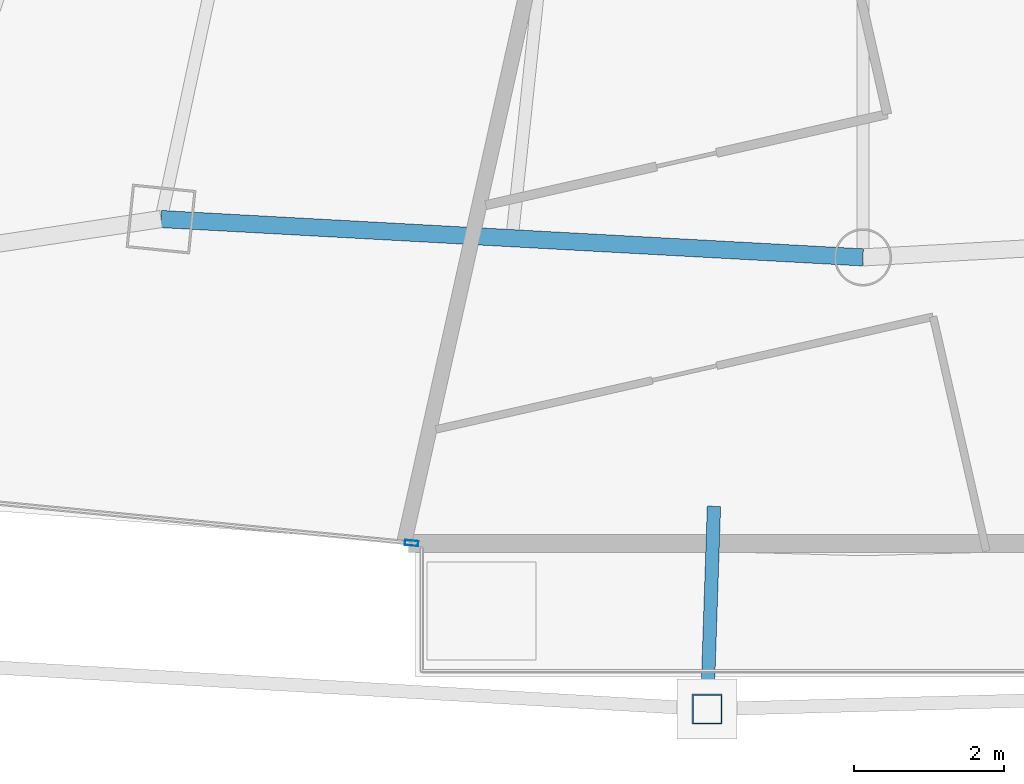
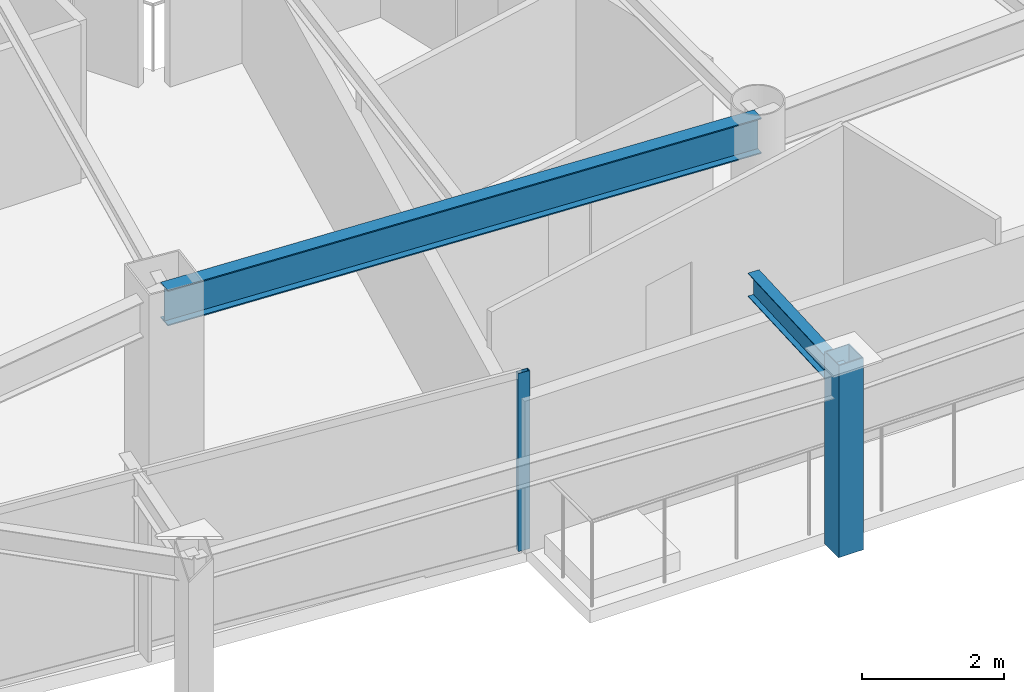
# One storey, part 7 of 33: 2 beams, 2 members, 1 element without a shape of its own.
"""IFC4 building model written with IfcOpenShell, lengths in metres."""

from ifc_helpers import new_model, si_unit, direction, frame, origin, origin_2d, place, context, subcontext, project, spatial, hollow_rectangle, i_section, extrude, material, layer, layer_set, material_profile, profile_set, type_object, element, aggregate, save


model = new_model("IFC4")

# Units and contexts
model_context = context("Model", 3, precision=1e-05, world=origin(), true_north=direction((0.0, 1.0)))
body_context = subcontext(model_context, "Body", "Model", "MODEL_VIEW")
ifc_project = project(units=[si_unit("LENGTHUNIT", "METRE"), si_unit("AREAUNIT", "SQUARE_METRE"), si_unit("VOLUMEUNIT", "CUBIC_METRE"), si_unit("PLANEANGLEUNIT", "RADIAN"), si_unit("MASSUNIT", "GRAM", prefix="KILO")], contexts=[model_context])

# Site, building, storey
site_placement = place(None, origin())
site = spatial("IfcSite", under=ifc_project, at=site_placement, CompositionType="ELEMENT")
building_placement = place(site_placement, origin())
building = spatial("IfcBuilding", under=site, at=building_placement, Name="Orvanel Arch Residences", CompositionType="ELEMENT")
storey_placement = place(building_placement, frame((0.0, 0.0, 123.199951171875)))
storey = spatial("IfcBuildingStorey", under=building, at=storey_placement, Name="L34", CompositionType="ELEMENT", Elevation=123.199951171875)

# Curtain wall, member
ifc_material_1 = material(Name="Bronze-anodised aluminium AA6063-T6", Category="aluminium")
ifc_layer = layer(ifc_material_1, 0.179931640625)
ifc_layer_set = layer_set([ifc_layer], Name="Bronze-anodised aluminium AA6063-T6")
curtain_wall_type = type_object("IfcCurtainWallType", Name="CW3-MID-SYS", PredefinedType="NOTDEFINED", material=ifc_layer_set)
curtain_wall_placement = place(storey_placement, origin())
curtain_wall = element("IfcCurtainWall", 1, at=curtain_wall_placement, inside=storey, type_object=curtain_wall_type, Name="L34 CW3-MID-SYS Unitised Curtain Wall", PredefinedType="NOTDEFINED")
ifc_material_profile_1 = material_profile(ifc_material_1, hollow_rectangle(XDim=0.070068359375, YDim=0.179931640625, WallThickness=0.00439453125, at=origin_2d()), Name="ALU180x70x4.5")
ifc_profile_set_1 = profile_set([ifc_material_profile_1], Name="Bronze-anodised aluminium AA6063-T6")
member_type_1 = type_object("IfcMemberType", Name="MUL-180x70", PredefinedType="MULLION", material=ifc_profile_set_1)
member_1_placement = place(storey_placement, frame((26.986083984375, 3.038330078125, 0.0), z_axis=(0.0, 0.0, 1.0), x_axis=(0.09620902607, 0.995361152197, 0.0)))
member_1 = element("IfcMember", 2, at=member_1_placement, type_object=member_type_1, Name="CW-S3 mullion 3", PredefinedType="MULLION", context=body_context, shape_type="SweptSolid", body=[
    extrude(hollow_rectangle(XDim=0.070068359375, YDim=0.179931640625, WallThickness=0.00439453125, at=origin_2d()), origin(), (0.0, 0.0, 1.0), 3.06005859375),
])
aggregate(curtain_wall, [member_1])

# Beams
ifc_material_2 = material(Name="Structural steel AS/NZS 3679.1 Grade 300 (300 MPa)", Category="steel")
ifc_material_profile_2 = material_profile(ifc_material_2, i_section(OverallWidth=0.177978515625, OverallDepth=0.406005859375, WebThickness=0.0078125, FlangeThickness=0.0126953125, at=origin_2d()), Name="410UB59.7")
ifc_profile_set_2 = profile_set([ifc_material_profile_2], Name="Structural steel AS/NZS 3679.1 Grade 300 (300 MPa)")
beam_type_1 = type_object("IfcBeamType", Name="OB-410UB-EXT", PredefinedType="SPANDREL", material=ifc_profile_set_2)
beam_1_placement = place(storey_placement, frame((31.014892578125, 3.528076171875, 2.85693359375), z_axis=(-0.033591440294, -0.999435648323, 0.0), x_axis=(0.999435648323, -0.033591440294, 0.0)))
element("IfcBeam", 3, at=beam_1_placement, inside=storey, type_object=beam_type_1, Name="L34 Outer Frame Radial Tie Beam 06", PredefinedType="SPANDREL", context=body_context, shape_type="SweptSolid", body=[
    extrude(i_section(OverallWidth=0.177978515625, OverallDepth=0.406005859375, WebThickness=0.0078125, FlangeThickness=0.0126953125, at=origin_2d()), origin(), (0.0, 0.0, 1.0), 2.70361328125),
])
ifc_material_profile_3 = material_profile(ifc_material_2, i_section(OverallWidth=0.22900390625, OverallDepth=0.612060546875, WebThickness=0.011962890625, FlangeThickness=0.01953125, at=origin_2d()), Name="610UB125")
ifc_profile_set_3 = profile_set([ifc_material_profile_3], Name="Structural steel AS/NZS 3679.1 Grade 300 (300 MPa)")
beam_type_2 = type_object("IfcBeamType", Name="SP-610UB", PredefinedType="SPANDREL", material=ifc_profile_set_3)
beam_2_placement = place(storey_placement, frame((23.64892578125, 7.35498046875, 2.754150390625), z_axis=(0.998510315598, -0.054563262768, 0.0), x_axis=(0.054563262768, 0.998510315598, 0.0)))
element("IfcBeam", 4, at=beam_2_placement, inside=storey, type_object=beam_type_2, Name="L34 Perimeter Spandrel Beam 05", PredefinedType="SPANDREL", context=body_context, shape_type="SweptSolid", body=[
    extrude(i_section(OverallWidth=0.22900390625, OverallDepth=0.612060546875, WebThickness=0.011962890625, FlangeThickness=0.01953125, at=origin_2d()), origin(), (0.0, 0.0, 1.0), 9.364990234375),
])

# Member
ifc_material_3 = material(Name="Structural steel AS/NZS 1163 C450L0 (Grade 450)", Category="steel")
ifc_material_profile_4 = material_profile(ifc_material_3, hollow_rectangle(XDim=0.39990234375, YDim=0.39990234375, WallThickness=0.01611328125, at=origin_2d()), Name="SHS400x400x16")
ifc_profile_set_4 = profile_set([ifc_material_profile_4], Name="Structural steel AS/NZS 1163 C450L0 (Grade 450)")
member_type_2 = type_object("IfcMemberType", Name="ST-400SHS-EXT", PredefinedType="STRUT", material=ifc_profile_set_4)
member_2_placement = place(storey_placement, frame((30.924072265625, 0.825927734375, 0.0), z_axis=(0.0, 0.0, 1.0), x_axis=(1.0, 0.0, 0.0)))
element("IfcMember", 5, at=member_2_placement, inside=storey, type_object=member_type_2, Name="L34 Outer Perimeter Frame Post 06", PredefinedType="STRUT", context=body_context, shape_type="SweptSolid", body=[
    extrude(hollow_rectangle(XDim=0.39990234375, YDim=0.39990234375, WallThickness=0.01611328125, at=origin_2d()), origin(), (0.0, 0.0, 1.0), 3.300048828125),
])

save(model, "model.ifc")
